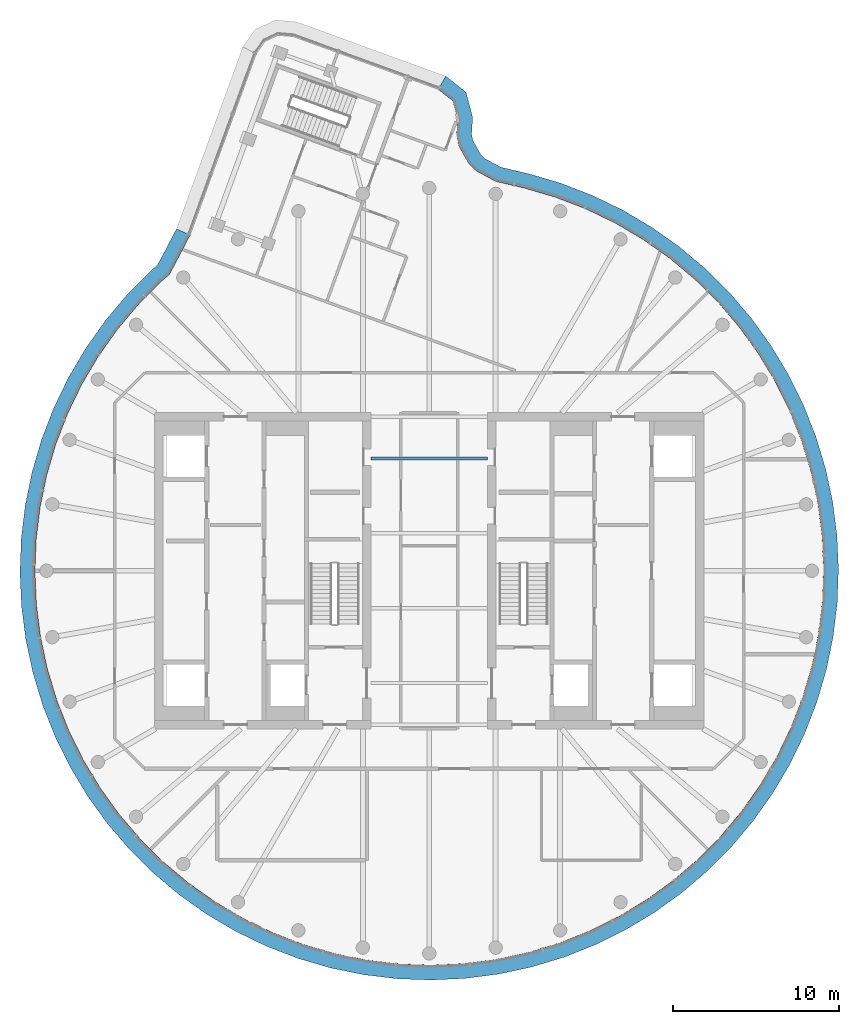
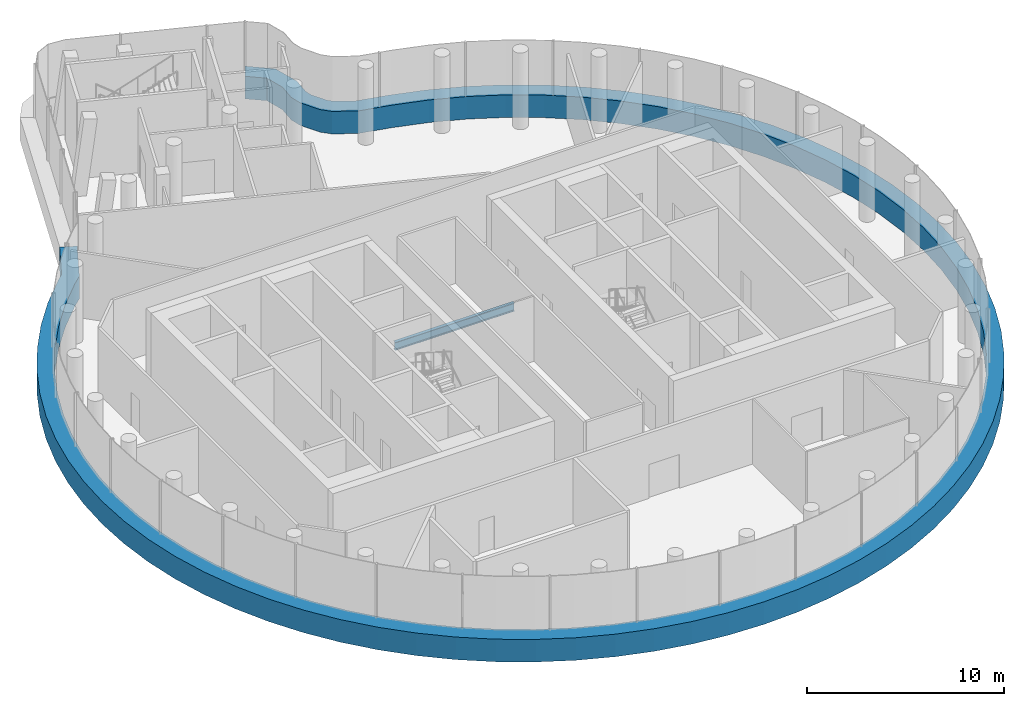
# One storey, part 3 of 12: 1 beam, 1 member, 1 element without a shape of its own.
"""IFC4 building model written with IfcOpenShell, lengths in metres."""

from ifc_helpers import new_model, si_unit, direction, frame, origin, origin_2d, place, context, subcontext, project, spatial, polyline, i_section, outline, extrude, material, layer, layer_set, material_profile, profile_set, type_object, element, aggregate, save


model = new_model("IFC4")

# Units and contexts
model_context = context("Model", 3, precision=1e-05, world=origin(), true_north=direction((0.0, 1.0)))
body_context = subcontext(model_context, "Body", "Model", "MODEL_VIEW")
ifc_project = project(units=[si_unit("LENGTHUNIT", "METRE"), si_unit("AREAUNIT", "SQUARE_METRE"), si_unit("VOLUMEUNIT", "CUBIC_METRE"), si_unit("PLANEANGLEUNIT", "RADIAN"), si_unit("MASSUNIT", "GRAM", prefix="KILO")], contexts=[model_context])

# Site, building, storey
site_placement = place(None, origin())
site = spatial("IfcSite", under=ifc_project, at=site_placement, CompositionType="ELEMENT")
building_placement = place(site_placement, origin())
building = spatial("IfcBuilding", under=site, at=building_placement, Name="Tamarind Cross Interchange Tower", CompositionType="ELEMENT")
storey_placement = place(building_placement, frame((0.0, 0.0, 294.39990234375)))
storey = spatial("IfcBuildingStorey", under=building, at=storey_placement, Name="L73", CompositionType="ELEMENT", Elevation=294.39990234375)

# Beam
ifc_material_1 = material(Name="Steel Q355B", Category="steel")
ifc_material_profile = material_profile(ifc_material_1, i_section(OverallWidth=0.198974609375, OverallDepth=0.49609375, WebThickness=0.009033203125, FlangeThickness=0.013916015625, FilletRadius=0.012939453125, at=origin_2d()), Name="HN 496x199x9x14")
ifc_profile_set = profile_set([ifc_material_profile], Name="Steel Q355B")
beam_type = type_object("IfcBeamType", Name="Composite beam HN 496x199x9x14 Q355B", PredefinedType="BEAM", material=ifc_profile_set)
beam_placement = place(storey_placement, frame((-3.5, 6.75, -0.447998046875), z_axis=(1.0, 0.0, 0.0), x_axis=(0.0, 1.0, 0.0)))
element("IfcBeam", 1, at=beam_placement, inside=storey, type_object=beam_type, Name="Beam G6.75", PredefinedType="BEAM", context=body_context, shape_type="SweptSolid", body=[
    extrude(i_section(OverallWidth=0.198974609375, OverallDepth=0.49609375, WebThickness=0.009033203125, FlangeThickness=0.013916015625, FilletRadius=0.012939453125, at=origin_2d()), origin(), (0.0, 0.0, 1.0), 7.0),
])

# Curtain wall, member
ifc_material_2 = material(Name="Aluminium 6063-T6", Category="aluminium")
ifc_layer = layer(ifc_material_2, 0.219970703125)
ifc_layer_set = layer_set([ifc_layer], Name="Aluminium 6063-T6")
curtain_wall_type = type_object("IfcCurtainWallType", Name="Observation deck curtain wall", PredefinedType="NOTDEFINED", material=ifc_layer_set)
curtain_wall_placement = place(storey_placement, origin())
curtain_wall = element("IfcCurtainWall", 2, at=curtain_wall_placement, inside=storey, type_object=curtain_wall_type, Name="CWS-L73-02", PredefinedType="NOTDEFINED")
ifc_material_3 = material(Name="Aluminium and insulated spandrel panel", Category="aluminium")
member_type = type_object("IfcMemberType", Name="Floor-edge blade transom", PredefinedType="USERDEFINED", material=ifc_material_3)
member_placement = place(storey_placement, origin())
member = element("IfcMember", 3, at=member_placement, type_object=member_type, Name="CWT-L73-02", ObjectType="TRANSOM", PredefinedType="USERDEFINED", context=body_context, shape_type="SweptSolid", body=[
    extrude(outline(polyline([(-14.367431640625, 20.179443359375), (-15.609375, 17.81201171875), (-16.12255859375, 17.365234375), (-17.50244140625, 15.973388671875), (-18.76171875, 14.4736328125), (-19.892822265625, 12.874755859375), (-20.88818359375, 11.188232421875), (-21.74072265625, 9.425048828125), (-22.444580078125, 7.597412109375), (-22.995361328125, 5.718017578125), (-23.38916015625, 3.799560546875), (-23.623046875, 1.855224609375), (-23.695556640625, -0.10205078125), (-23.606201171875, -2.058349609375), (-23.35546875, -4.000732421875), (-22.9453125, -5.915771484375), (-22.37841796875, -7.790283203125), (-21.65869140625, -9.61181640625), (-20.791015625, -11.367431640625), (-19.78125, -13.045654296875), (-18.636474609375, -14.634521484375), (-17.3642578125, -16.12353515625), (-15.973388671875, -17.50244140625), (-14.4736328125, -18.76171875), (-12.874755859375, -19.892822265625), (-11.188232421875, -20.88818359375), (-9.425048828125, -21.74072265625), (-7.597412109375, -22.444580078125), (-5.718017578125, -22.995361328125), (-3.799560546875, -23.38916015625), (-1.855224609375, -23.623046875), (0.10205078125, -23.695556640625), (2.058349609375, -23.606201171875), (4.000732421875, -23.35546875), (5.915771484375, -22.9453125), (7.790283203125, -22.37841796875), (9.61181640625, -21.65869140625), (11.367431640625, -20.791015625), (13.045654296875, -19.78125), (14.634521484375, -18.636474609375), (16.12353515625, -17.3642578125), (17.50244140625, -15.973388671875), (18.76171875, -14.4736328125), (19.892822265625, -12.874755859375), (20.88818359375, -11.188232421875), (21.74072265625, -9.425048828125), (22.444580078125, -7.597412109375), (22.995361328125, -5.718017578125), (23.38916015625, -3.799560546875), (23.623046875, -1.855224609375), (23.695556640625, 0.10205078125), (23.606201171875, 2.058349609375), (23.35546875, 4.000732421875), (22.9453125, 5.915771484375), (22.37841796875, 7.790283203125), (21.65869140625, 9.61181640625), (20.791015625, 11.367431640625), (19.78125, 13.045654296875), (18.636474609375, 14.634521484375), (17.3642578125, 16.12353515625), (15.973388671875, 17.50244140625), (14.4736328125, 18.76171875), (12.874755859375, 19.892822265625), (11.188232421875, 20.88818359375), (9.425048828125, 21.74072265625), (7.597412109375, 22.444580078125), (5.714111328125, 22.99658203125), (3.999755859375, 23.39794921875), (2.81689453125, 24.0322265625), (2.3623046875, 24.479736328125), (1.778564453125, 25.52978515625), (1.637939453125, 26.15185546875), (1.7021484375, 27.1611328125), (1.41796875, 28.2392578125), (0.54443359375, 28.931884765625), (0.9892578125, 29.7275390625), (2.2119140625, 28.75830078125), (2.609619140625, 27.249755859375), (2.54443359375, 26.223876953125), (2.6279296875, 25.85400390625), (3.0859375, 25.0302734375), (3.356201171875, 24.76416015625), (4.3203125, 24.247314453125), (5.943359375, 23.8671875), (7.88623046875, 23.2978515625), (9.783203125, 22.567138671875), (11.613525390625, 21.68212890625), (13.3642578125, 20.64892578125), (15.023681640625, 19.474853515625), (16.580810546875, 18.167724609375), (18.0244140625, 16.736572265625), (19.344970703125, 15.19091796875), (20.533203125, 13.54150390625), (21.581298828125, 11.799560546875), (22.482177734375, 9.97705078125), (23.229248046875, 8.08642578125), (23.817626953125, 6.140625), (24.243408203125, 4.15283203125), (24.50341796875, 2.13671875), (24.59619140625, 0.10595703125), (24.52099609375, -1.925537109375), (24.2783203125, -3.944091796875), (23.86962890625, -5.935302734375), (23.2978515625, -7.88623046875), (22.567138671875, -9.783203125), (21.68212890625, -11.613525390625), (20.64892578125, -13.3642578125), (19.474853515625, -15.023681640625), (18.167724609375, -16.580810546875), (16.736572265625, -18.0244140625), (15.19091796875, -19.344970703125), (13.54150390625, -20.533203125), (11.799560546875, -21.581298828125), (9.97705078125, -22.482177734375), (8.08642578125, -23.229248046875), (6.140625, -23.817626953125), (4.15283203125, -24.243408203125), (2.13671875, -24.50341796875), (0.10595703125, -24.59619140625), (-1.925537109375, -24.52099609375), (-3.944091796875, -24.2783203125), (-5.935302734375, -23.86962890625), (-7.88623046875, -23.2978515625), (-9.783203125, -22.567138671875), (-11.613525390625, -21.68212890625), (-13.3642578125, -20.64892578125), (-15.023681640625, -19.474853515625), (-16.580810546875, -18.167724609375), (-18.0244140625, -16.736572265625), (-19.344970703125, -15.19091796875), (-20.533203125, -13.54150390625), (-21.581298828125, -11.799560546875), (-22.482177734375, -9.97705078125), (-23.229248046875, -8.08642578125), (-23.817626953125, -6.140625), (-24.243408203125, -4.15283203125), (-24.50341796875, -2.13671875), (-24.59619140625, -0.10595703125), (-24.52099609375, 1.925537109375), (-24.2783203125, 3.944091796875), (-23.86962890625, 5.935302734375), (-23.2978515625, 7.88623046875), (-22.567138671875, 9.783203125), (-21.68212890625, 11.613525390625), (-20.64892578125, 13.3642578125), (-19.474853515625, 15.023681640625), (-18.167724609375, 16.580810546875), (-16.73828125, 18.0224609375), (-16.32763671875, 18.3798828125), (-15.1923828125, 20.544189453125), (-14.367431640625, 20.179443359375)])), origin(), (0.0, 0.0, 1.0), 1.400146484375),
])
aggregate(curtain_wall, [member])

save(model, "model.ifc")
